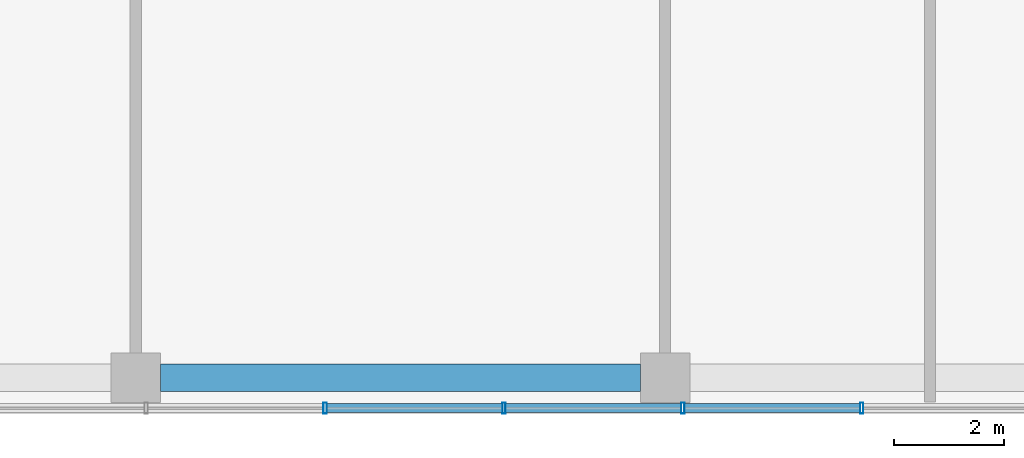
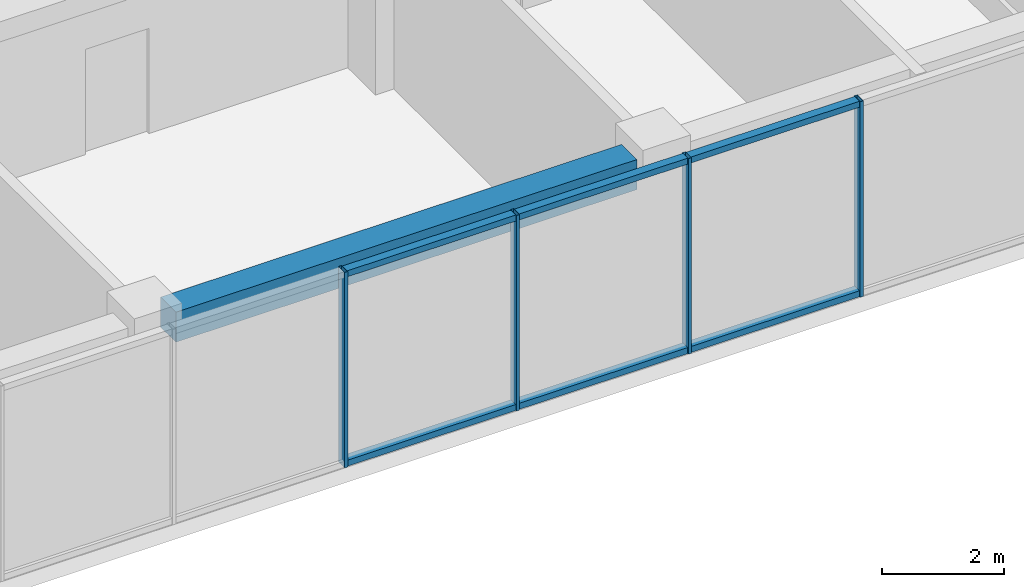
# One storey, part 11 of 37: 10 members, 1 beam, 1 element without a shape of its own.
"""IFC4 building model written with IfcOpenShell, lengths in metres."""

import ifcopenshell
import ifcopenshell.guid

model = None  # the IFC model being written
_history = None  # IfcOwnerHistory: only IFC2X3 demands one
_inside = {}  # id of a spatial element -> (the spatial element, [elements in it])
_under = {}  # id of a project, library or spatial element -> (it, [spatial elements below it])
_declared = {}  # id of a project -> (the project, [libraries it declares])
_typed = {}  # id of a type object -> (the type object, [elements of that type])
_made_of = {}  # id of a material, layer set ... -> (it, [elements and type objects made of it])


def new_model(schema):
    """Start an empty IFC model of exactly this schema.

    Asked for "IFC4X3", IfcOpenShell would pick the latest addendum, in which some entities
    have other attributes; the version numbers below select the first issue.
    IFC2X3 requires an IfcOwnerHistory on every rooted entity: one is made here for all.
    """
    global model, _history
    if schema == "IFC4X3":
        model = ifcopenshell.file(schema_version=(4, 3, 0, 0))
    else:
        model = ifcopenshell.file(schema=schema)
    _inside.clear()
    _under.clear()
    _declared.clear()
    _typed.clear()
    _made_of.clear()
    _history = None
    if model.schema == "IFC2X3":
        org = make("IfcOrganization", Name="unknown")
        user = make(
            "IfcPersonAndOrganization",
            ThePerson=make("IfcPerson", FamilyName="unknown"),
            TheOrganization=org,
        )
        app = make(
            "IfcApplication",
            ApplicationDeveloper=org,
            Version="unknown",
            ApplicationFullName="unknown",
            ApplicationIdentifier="unknown",
        )
        _history = make(
            "IfcOwnerHistory",
            OwningUser=user,
            OwningApplication=app,
            ChangeAction="ADDED",
            CreationDate=0,
        )
    return model


def make(cls, **values):
    """One entity of the class cls with the attributes given. An attribute that is None is left unset."""
    return model.create_entity(
        cls, **{name: value for name, value in values.items() if value is not None}
    )


def rooted(cls, **values):
    """An entity with a GlobalId (a new one), such as an element, a storey or a relation."""
    return make(cls, GlobalId=ifcopenshell.guid.new(), OwnerHistory=_history, **values)


def si_unit(unit_type, name, prefix=None):
    """IfcSIUnit, for example si_unit("LENGTHUNIT", "METRE", prefix="MILLI")."""
    return make("IfcSIUnit", UnitType=unit_type, Prefix=prefix, Name=name)


def assignment(units):
    """IfcUnitAssignment: the units of a project."""
    return None if units is None else make("IfcUnitAssignment", Units=units)


def point(xyz):
    """IfcCartesianPoint."""
    return None if xyz is None else make("IfcCartesianPoint", Coordinates=xyz)


def direction(xyz):
    """IfcDirection."""
    return None if xyz is None else make("IfcDirection", DirectionRatios=xyz)


def frame(location, z_axis=None, x_axis=None):
    """IfcAxis2Placement3D, a coordinate frame: its origin and axes. An axis left out is left unset."""
    return make(
        "IfcAxis2Placement3D",
        Location=point(location),
        Axis=direction(z_axis),
        RefDirection=direction(x_axis),
    )


def frame_2d(location, x_axis=None):
    """IfcAxis2Placement2D, a coordinate frame in the plane: its origin and x axis."""
    return make(
        "IfcAxis2Placement2D", Location=point(location), RefDirection=direction(x_axis)
    )


def origin():
    """The frame at (0, 0, 0) with its axes left unset."""
    return frame((0.0, 0.0, 0.0))


def origin_2d():
    """The frame at (0, 0) in the plane with its x axis left unset."""
    return frame_2d((0.0, 0.0))


def place(relative_to, where):
    """IfcLocalPlacement: puts the frame where relative to a parent placement (None: the world)."""
    return make(
        "IfcLocalPlacement", PlacementRelTo=relative_to, RelativePlacement=where
    )


def context(
    kind, dimensions, precision=None, world=None, true_north=None, identifier=None
):
    """IfcGeometricRepresentationContext, for example the 3D "Model" context."""
    return make(
        "IfcGeometricRepresentationContext",
        ContextIdentifier=identifier,
        ContextType=kind,
        CoordinateSpaceDimension=dimensions,
        Precision=precision,
        WorldCoordinateSystem=world,
        TrueNorth=true_north,
    )


def subcontext(parent, identifier, kind, view, scale=None):
    """IfcGeometricRepresentationSubContext, for example "Body" below "Model"."""
    return make(
        "IfcGeometricRepresentationSubContext",
        ContextIdentifier=identifier,
        ContextType=kind,
        ParentContext=parent,
        TargetScale=scale,
        TargetView=view,
    )


def project(units=None, contexts=None):
    """IfcProject with its units and contexts."""
    return rooted(
        "IfcProject",
        Name="project",
        RepresentationContexts=contexts,
        UnitsInContext=assignment(units),
    )


def spatial(cls, under=None, at=None, **own):
    """A site, building, storey or space (cls), placed at a placement, below another one or the project."""
    s = rooted(cls, ObjectPlacement=at, **own)
    if under is not None:
        _under.setdefault(under.id(), (under, []))[1].append(s)
    return s


def profile(cls, at=None, kind="AREA", **sizes):
    """A parametric profile (cls). Its sizes go by their IFC names, for example OverallWidth=200.0."""
    return make(cls, ProfileType=kind, Position=at, **sizes)


def rectangle(**sizes):
    """IfcRectangleProfileDef."""
    return profile("IfcRectangleProfileDef", **sizes)


def hollow_rectangle(**sizes):
    """IfcRectangleHollowProfileDef."""
    return profile("IfcRectangleHollowProfileDef", **sizes)


def extrude(swept, where, along, depth):
    """IfcExtrudedAreaSolid: the profile swept, set in the frame where, extruded along a direction by depth."""
    return make(
        "IfcExtrudedAreaSolid",
        SweptArea=swept,
        Position=where,
        ExtrudedDirection=direction(along),
        Depth=depth,
    )


def shape(context_of_items, identifier, shape_type, items):
    """IfcShapeRepresentation: the items that make up one representation, for example the "Body"."""
    return make(
        "IfcShapeRepresentation",
        ContextOfItems=context_of_items,
        RepresentationIdentifier=identifier,
        RepresentationType=shape_type,
        Items=items,
    )


def material(Name=None, Category=None):
    """IfcMaterial."""
    return make("IfcMaterial", Name=Name, Category=Category)


def layer(
    of_material, thickness, ventilated=None, Name=None, Category=None, Priority=None
):
    """IfcMaterialLayer: one layer of a wall or slab, of a material (None: an air gap)."""
    return make(
        "IfcMaterialLayer",
        Material=of_material,
        LayerThickness=thickness,
        IsVentilated=ventilated,
        Name=Name,
        Category=Category,
        Priority=Priority,
    )


def layer_set(layers, Name=None):
    """IfcMaterialLayerSet."""
    return make("IfcMaterialLayerSet", MaterialLayers=layers, LayerSetName=Name)


def material_profile(
    of_material, cross_section, Name=None, Category=None, Priority=None
):
    """IfcMaterialProfile: a cross section and its material."""
    return make(
        "IfcMaterialProfile",
        Name=Name,
        Material=of_material,
        Profile=cross_section,
        Priority=Priority,
        Category=Category,
    )


def profile_set(profiles, Name=None, composite=None):
    """IfcMaterialProfileSet."""
    return make(
        "IfcMaterialProfileSet",
        Name=Name,
        MaterialProfiles=profiles,
        CompositeProfile=composite,
    )


def made_of(thing, what):
    """Note that an element or type object is made of a material, layer set ...; save() writes the relation."""
    if what is not None:
        _made_of.setdefault(what.id(), (what, []))[1].append(thing)
    return thing


def type_object(cls, material=None, **own):
    """A type object (cls), such as IfcWallType, which elements share."""
    return made_of(rooted(cls, **own), material)


def element(
    cls,
    number,
    at=None,
    inside=None,
    cuts=None,
    type_object=None,
    material=None,
    context=None,
    identifier="Body",
    shape_type=None,
    held_by="IfcProductDefinitionShape",
    body=None,
    shapes=None,
    **own,
):
    """One element of the class cls, such as IfcWall. Its Tag is "e" and its number.

    at: its placement. inside: the storey or other place that contains it. cuts: it is an
    opening in that element (IfcRelVoidsElement). A single representation is given by context,
    identifier, shape_type and body (its items); several are given by shapes. held_by: the class
    of the entity that holds the representations. save() writes the other relations.
    """
    e = rooted(cls, Tag="e%d" % number, ObjectPlacement=at, **own)
    if body is not None:
        shapes = [shape(context, identifier, shape_type, body)]
    if shapes is not None:
        e.Representation = make(held_by, Representations=shapes)
    if inside is not None:
        _inside.setdefault(inside.id(), (inside, []))[1].append(e)
    if cuts is not None:
        rooted(
            "IfcRelVoidsElement", RelatingBuildingElement=cuts, RelatedOpeningElement=e
        )
    if type_object is not None:
        _typed.setdefault(type_object.id(), (type_object, []))[1].append(e)
    return made_of(e, material)


def aggregate(whole, parts):
    """IfcRelAggregates: a whole, such as a stair, and the parts it consists of."""
    return rooted("IfcRelAggregates", RelatingObject=whole, RelatedObjects=parts)


def save(model, path):
    """Write the relations noted so far, then the file.

    IfcRelAggregates (storeys below a building ...), IfcRelContainedInSpatialStructure (elements
    in a storey), IfcRelDefinesByType, IfcRelAssociatesMaterial and IfcRelDeclares: one each for
    every whole, place, type object, material and project.
    """
    for whole, parts in _under.values():
        aggregate(whole, parts)
    for where, things in _inside.values():
        rooted(
            "IfcRelContainedInSpatialStructure",
            RelatedElements=things,
            RelatingStructure=where,
        )
    for kind, things in _typed.values():
        rooted("IfcRelDefinesByType", RelatedObjects=things, RelatingType=kind)
    for what, things in _made_of.values():
        rooted("IfcRelAssociatesMaterial", RelatedObjects=things, RelatingMaterial=what)
    for by, libraries in _declared.values():
        rooted("IfcRelDeclares", RelatingContext=by, RelatedDefinitions=libraries)
    model.write(path)


model = new_model("IFC4")

# Units and contexts
model_context = context("Model", 3, precision=1e-05, world=origin(), true_north=direction((0.0, 1.0)))
body_context = subcontext(model_context, "Body", "Model", "MODEL_VIEW")
ifc_project = project(units=[si_unit("LENGTHUNIT", "METRE"), si_unit("AREAUNIT", "SQUARE_METRE"), si_unit("VOLUMEUNIT", "CUBIC_METRE"), si_unit("PLANEANGLEUNIT", "RADIAN"), si_unit("MASSUNIT", "GRAM", prefix="KILO")], contexts=[model_context])

# Site, building, storey
site_placement = place(None, origin())
site = spatial("IfcSite", under=ifc_project, at=site_placement, CompositionType="ELEMENT")
building_placement = place(site_placement, origin())
building = spatial("IfcBuilding", under=site, at=building_placement, Name="Nzadi Deep Aquarium and Research Tower", CompositionType="ELEMENT")
storey_placement = place(building_placement, frame((0.0, 0.0, 61.300048828125)))
storey = spatial("IfcBuildingStorey", under=building, at=storey_placement, Name="L12", CompositionType="ELEMENT", Elevation=61.300048828125)

# Curtain wall, members
ifc_material_1 = material(Name="Aluminium unitised frame", Category="aluminium")
ifc_layer = layer(ifc_material_1, 0.199951171875)
ifc_layer_set = layer_set([ifc_layer], Name="Aluminium unitised frame")
curtain_wall_type = type_object("IfcCurtainWallType", Name="Curtain wall Unitised 200", PredefinedType="NOTDEFINED", material=ifc_layer_set)
curtain_wall_placement = place(storey_placement, origin())
curtain_wall = element("IfcCurtainWall", 1, at=curtain_wall_placement, inside=storey, type_object=curtain_wall_type, Name="Unitised curtain wall blade A south L12", PredefinedType="NOTDEFINED")
ifc_material_2 = material(Name="Aluminium unitised frame", Category="aluminium")
ifc_material_profile_1 = material_profile(ifc_material_2, hollow_rectangle(XDim=0.199951171875, YDim=0.06005859375, WallThickness=0.0048828125, at=origin_2d()))
ifc_profile_set_1 = profile_set([ifc_material_profile_1], Name="Aluminium unitised frame")
member_type_1 = type_object("IfcMemberType", Name="Mullion 60x200 Unitised", PredefinedType="MULLION", material=ifc_profile_set_1)
member_1_placement = place(storey_placement, frame((32.2333984375, -0.10009765625, 0.0), z_axis=(0.0, 0.0, 1.0), x_axis=(0.0, 1.0, 0.0)))
member_1 = element("IfcMember", 2, at=member_1_placement, type_object=member_type_1, Name="CW050 mullion 11", PredefinedType="MULLION", context=body_context, shape_type="SweptSolid", body=[
    extrude(hollow_rectangle(XDim=0.199951171875, YDim=0.06005859375, WallThickness=0.0048828125, at=origin_2d()), origin(), (0.0, 0.0, 1.0), 3.89990234375),
])
member_2_placement = place(storey_placement, frame((35.4765625, -0.10009765625, 0.0), z_axis=(0.0, 0.0, 1.0), x_axis=(0.0, 1.0, 0.0)))
member_2 = element("IfcMember", 3, at=member_2_placement, type_object=member_type_1, Name="CW050 mullion 12", PredefinedType="MULLION", context=body_context, shape_type="SweptSolid", body=[
    extrude(hollow_rectangle(XDim=0.199951171875, YDim=0.06005859375, WallThickness=0.0048828125, at=origin_2d()), origin(), (0.0, 0.0, 1.0), 3.89990234375),
])
member_3_placement = place(storey_placement, frame((38.719970703125, -0.10009765625, 0.0), z_axis=(0.0, 0.0, 1.0), x_axis=(0.0, 1.0, 0.0)))
member_3 = element("IfcMember", 4, at=member_3_placement, type_object=member_type_1, Name="CW050 mullion 13", PredefinedType="MULLION", context=body_context, shape_type="SweptSolid", body=[
    extrude(hollow_rectangle(XDim=0.199951171875, YDim=0.06005859375, WallThickness=0.0048828125, at=origin_2d()), origin(), (0.0, 0.0, 1.0), 3.89990234375),
])
member_4_placement = place(storey_placement, frame((41.96337890625, -0.10009765625, 0.0), z_axis=(0.0, 0.0, 1.0), x_axis=(0.0, 1.0, 0.0)))
member_4 = element("IfcMember", 5, at=member_4_placement, type_object=member_type_1, Name="CW050 mullion 14", PredefinedType="MULLION", context=body_context, shape_type="SweptSolid", body=[
    extrude(hollow_rectangle(XDim=0.199951171875, YDim=0.06005859375, WallThickness=0.0048828125, at=origin_2d()), origin(), (0.0, 0.0, 1.0), 3.89990234375),
])

# Beam
ifc_material_3 = material(Name="Concrete C35/45", Category="concrete")
ifc_material_profile_2 = material_profile(ifc_material_3, rectangle(XDim=0.5, YDim=0.60009765625, at=origin_2d()))
ifc_profile_set_2 = profile_set([ifc_material_profile_2], Name="Concrete C35/45")
beam_type = type_object("IfcBeamType", Name="RC 500x600", PredefinedType="BEAM", material=ifc_profile_set_2)
beam_placement = place(storey_placement, frame((29.25, 0.449951171875, 3.599853515625), z_axis=(1.0, 0.0, 0.0), x_axis=(0.0, 1.0, 0.0)))
element("IfcBeam", 6, at=beam_placement, inside=storey, type_object=beam_type, Name="B-Z1-L12-L1-4", PredefinedType="BEAM", context=body_context, shape_type="SweptSolid", body=[
    extrude(rectangle(XDim=0.5, YDim=0.60009765625, at=origin_2d()), origin(), (0.0, 0.0, 1.0), 8.699951171875),
])

# Member
ifc_material_4 = material(Name="Aluminium unitised frame", Category="aluminium")
ifc_material_profile_3 = material_profile(ifc_material_4, hollow_rectangle(XDim=0.159912109375, YDim=0.1201171875, WallThickness=0.0048828125, at=origin_2d()))
ifc_profile_set_3 = profile_set([ifc_material_profile_3], Name="Aluminium unitised frame")
member_type_2 = type_object("IfcMemberType", Name="Transom 120x160 Unitised", PredefinedType="MULLION", material=ifc_profile_set_3)
member_5_placement = place(storey_placement, frame((32.263427734375, -0.10009765625, 0.06005859375), z_axis=(1.0, 0.0, 0.0), x_axis=(0.0, 1.0, 0.0)))
member_5 = element("IfcMember", 7, at=member_5_placement, type_object=member_type_2, Name="CW050 transom 11.1", PredefinedType="MULLION", context=body_context, shape_type="SweptSolid", body=[
    extrude(hollow_rectangle(XDim=0.159912109375, YDim=0.1201171875, WallThickness=0.0048828125, at=origin_2d()), origin(), (0.0, 0.0, 1.0), 3.183349609375),
])

member_6_placement = place(storey_placement, frame((32.263427734375, -0.10009765625, 3.83984375), z_axis=(1.0, 0.0, 0.0), x_axis=(0.0, 1.0, 0.0)))
member_6 = element("IfcMember", 8, at=member_6_placement, type_object=member_type_2, Name="CW050 transom 11.2", PredefinedType="MULLION", context=body_context, shape_type="SweptSolid", body=[
    extrude(hollow_rectangle(XDim=0.159912109375, YDim=0.1201171875, WallThickness=0.0048828125, at=origin_2d()), origin(), (0.0, 0.0, 1.0), 3.183349609375),
])

member_7_placement = place(storey_placement, frame((35.506591796875, -0.10009765625, 0.06005859375), z_axis=(1.0, 0.0, 0.0), x_axis=(0.0, 1.0, 0.0)))
member_7 = element("IfcMember", 9, at=member_7_placement, type_object=member_type_2, Name="CW050 transom 12.1", PredefinedType="MULLION", context=body_context, shape_type="SweptSolid", body=[
    extrude(hollow_rectangle(XDim=0.159912109375, YDim=0.1201171875, WallThickness=0.0048828125, at=origin_2d()), origin(), (0.0, 0.0, 1.0), 3.183349609375),
])

member_8_placement = place(storey_placement, frame((35.506591796875, -0.10009765625, 3.83984375), z_axis=(1.0, 0.0, 0.0), x_axis=(0.0, 1.0, 0.0)))
member_8 = element("IfcMember", 10, at=member_8_placement, type_object=member_type_2, Name="CW050 transom 12.2", PredefinedType="MULLION", context=body_context, shape_type="SweptSolid", body=[
    extrude(hollow_rectangle(XDim=0.159912109375, YDim=0.1201171875, WallThickness=0.0048828125, at=origin_2d()), origin(), (0.0, 0.0, 1.0), 3.183349609375),
])

member_9_placement = place(storey_placement, frame((38.75, -0.10009765625, 0.06005859375), z_axis=(1.0, 0.0, 0.0), x_axis=(0.0, 1.0, 0.0)))
member_9 = element("IfcMember", 11, at=member_9_placement, type_object=member_type_2, Name="CW050 transom 13.1", PredefinedType="MULLION", context=body_context, shape_type="SweptSolid", body=[
    extrude(hollow_rectangle(XDim=0.159912109375, YDim=0.1201171875, WallThickness=0.0048828125, at=origin_2d()), origin(), (0.0, 0.0, 1.0), 3.183349609375),
])

member_10_placement = place(storey_placement, frame((38.75, -0.10009765625, 3.83984375), z_axis=(1.0, 0.0, 0.0), x_axis=(0.0, 1.0, 0.0)))
member_10 = element("IfcMember", 12, at=member_10_placement, type_object=member_type_2, Name="CW050 transom 13.2", PredefinedType="MULLION", context=body_context, shape_type="SweptSolid", body=[
    extrude(hollow_rectangle(XDim=0.159912109375, YDim=0.1201171875, WallThickness=0.0048828125, at=origin_2d()), origin(), (0.0, 0.0, 1.0), 3.183349609375),
])

aggregate(curtain_wall, [member_1, member_2, member_3, member_4, member_5, member_6, member_7, member_8, member_9, member_10])

save(model, "model.ifc")
